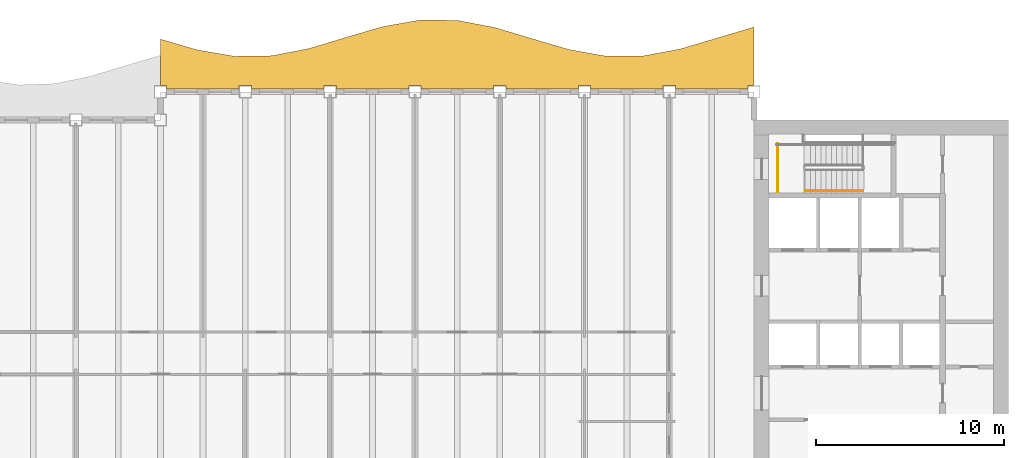
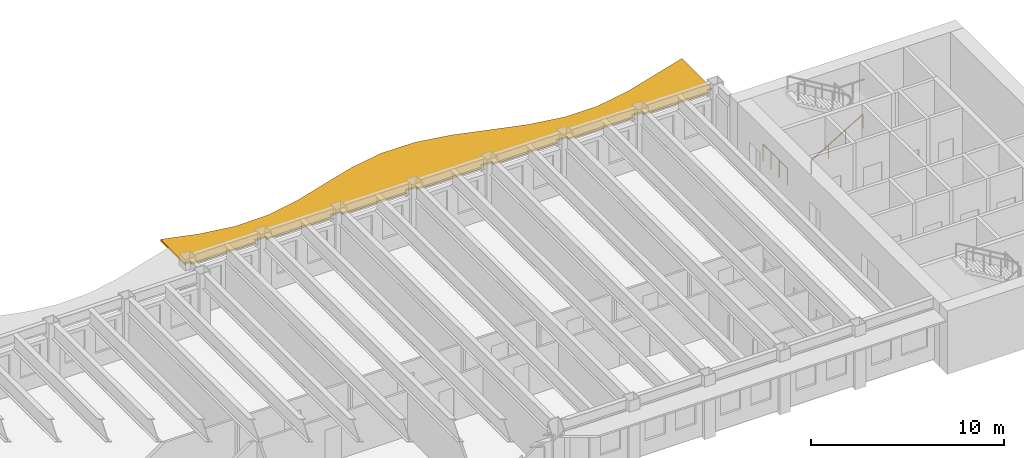
# One storey, part 11 of 12: 2 railings, 1 shading device.
"""IFC4 building model written with IfcOpenShell, lengths in metres."""

from ifc_helpers import new_model, si_unit, direction, frame, origin, origin_2d, place, context, subcontext, project, spatial, polyline, rectangle, outline, extrude, material, layer, layer_set, type_object, element, save


model = new_model("IFC4")

# Units and contexts
model_context = context("Model", 3, precision=1e-05, world=origin(), true_north=direction((0.0, 1.0)))
body_context = subcontext(model_context, "Body", "Model", "MODEL_VIEW")
ifc_project = project(units=[si_unit("LENGTHUNIT", "METRE"), si_unit("AREAUNIT", "SQUARE_METRE"), si_unit("VOLUMEUNIT", "CUBIC_METRE"), si_unit("PLANEANGLEUNIT", "RADIAN"), si_unit("MASSUNIT", "GRAM", prefix="KILO")], contexts=[model_context])

# Site, building, storey
site_placement = place(None, origin())
site = spatial("IfcSite", under=ifc_project, at=site_placement, CompositionType="ELEMENT")
building_placement = place(site_placement, origin())
building = spatial("IfcBuilding", under=site, at=building_placement, Name="Sennacour Bend Tower", CompositionType="ELEMENT")
storey_placement = place(building_placement, frame((0.0, 0.0, 249.0)))
storey = spatial("IfcBuildingStorey", under=building, at=storey_placement, Name="L57", CompositionType="ELEMENT", Elevation=249.0)

# Railings
ifc_material_1 = material(Name="Stainless steel", Category="steel")
railing_type_1 = type_object("IfcRailingType", Name="RL-GUARD-1100", PredefinedType="GUARDRAIL", material=ifc_material_1)
railing_1_placement = place(storey_placement, frame((55.25, 18.699951171875, 0.0)))
element("IfcRailing", 1, at=railing_1_placement, inside=storey, type_object=railing_type_1, Name="L57 SA2 stair guard 7", PredefinedType="GUARDRAIL", context=body_context, shape_type="SweptSolid", body=[
    extrude(rectangle(XDim=0.048095703125, YDim=0.048095703125, at=origin_2d()), frame((0.0, 0.0, 1.076171875), z_axis=(0.0, 1.0, 0.0), x_axis=(-1.0, 0.0, 0.0)), (0.0, 0.0, 1.0), 2.550048828125),
    extrude(rectangle(XDim=0.0419921875, YDim=0.0419921875, at=origin_2d()), origin(), (0.0, 0.0, 1.0), 1.052001953125),
    extrude(rectangle(XDim=0.0419921875, YDim=0.0419921875, at=origin_2d()), frame((0.0, 0.85009765625, 0.0)), (0.0, 0.0, 1.0), 1.052001953125),
    extrude(rectangle(XDim=0.0419921875, YDim=0.0419921875, at=origin_2d()), frame((0.0, 1.699951171875, 0.0)), (0.0, 0.0, 1.0), 1.052001953125),
    extrude(rectangle(XDim=0.0419921875, YDim=0.0419921875, at=origin_2d()), frame((0.0, 2.550048828125, 0.0)), (0.0, 0.0, 1.0), 1.052001953125),
])
railing_type_2 = type_object("IfcRailingType", Name="RL-HANDRAIL-900", PredefinedType="HANDRAIL", material=ifc_material_1)
railing_2_placement = place(storey_placement, frame((56.699951171875, 18.75, 0.166748046875)))
element("IfcRailing", 2, at=railing_2_placement, inside=storey, type_object=railing_type_2, Name="L57 SA2 stair handrail 1", PredefinedType="HANDRAIL", context=body_context, shape_type="SweptSolid", body=[
    extrude(rectangle(XDim=0.048095703125, YDim=0.048095703125, at=origin_2d()), frame((0.0, 0.0, 0.8759765625), z_axis=(0.859308565015, 0.0, 0.511457515432), x_axis=(0.0, 1.0, 0.0)), (0.0, 0.0, 1.0), 3.58447265625),
    extrude(rectangle(XDim=0.0419921875, YDim=0.0419921875, at=origin_2d()), origin(), (0.0, 0.0, 1.0), 0.851806640625),
    extrude(rectangle(XDim=0.0419921875, YDim=0.0419921875, at=origin_2d()), frame((1.026611328125, 0.0, 0.611083984375)), (0.0, 0.0, 1.0), 0.851806640625),
    extrude(rectangle(XDim=0.0419921875, YDim=0.0419921875, at=origin_2d()), frame((2.053466796875, 0.0, 1.22216796875)), (0.0, 0.0, 1.0), 0.851806640625),
    extrude(rectangle(XDim=0.0419921875, YDim=0.0419921875, at=origin_2d()), frame((3.080078125, 0.0, 1.833251953125)), (0.0, 0.0, 1.0), 0.851806640625),
])

# Shading device
ifc_material_2 = material(Name="Bronze anodised aluminium", Category="aluminium")
ifc_layer = layer(ifc_material_2, 0.1201171875, Name="Bronze anodised aluminium", Category="aluminium")
ifc_layer_set = layer_set([ifc_layer], Name="Bronze anodised aluminium")
shading_device_type = type_object("IfcShadingDeviceType", Name="SUNSHADE BAND WAVE", PredefinedType="USERDEFINED", material=ifc_layer_set)
shading_device_placement = place(storey_placement, frame((0.0, 0.0, 3.0419921875)))
element("IfcShadingDevice", 3, at=shading_device_placement, inside=storey, type_object=shading_device_type, Name="Sunshade band L57 concave faces", ObjectType="SUNSHADE", PredefinedType="USERDEFINED", context=body_context, shape_type="SweptSolid", body=[
    extrude(outline(polyline([(53.675048828125, 24.14990234375), (49.824951171875, 24.14990234375), (49.824951171875, 24.324951171875), (49.175048828125, 24.324951171875), (49.175048828125, 24.14990234375), (45.324951171875, 24.14990234375), (45.324951171875, 24.324951171875), (44.675048828125, 24.324951171875), (44.675048828125, 24.14990234375), (40.824951171875, 24.14990234375), (40.824951171875, 24.324951171875), (40.175048828125, 24.324951171875), (40.175048828125, 24.14990234375), (36.324951171875, 24.14990234375), (36.324951171875, 24.324951171875), (35.675048828125, 24.324951171875), (35.675048828125, 24.14990234375), (31.824951171875, 24.14990234375), (31.824951171875, 24.324951171875), (31.175048828125, 24.324951171875), (31.175048828125, 24.14990234375), (27.324951171875, 24.14990234375), (27.324951171875, 24.324951171875), (26.675048828125, 24.324951171875), (26.675048828125, 24.14990234375), (22.824951171875, 24.14990234375), (22.824951171875, 24.324951171875), (22.5, 24.324951171875), (22.5, 26.79296875), (24.46875, 26.2197265625), (26.4375, 25.884765625), (28.40625, 25.914306640625), (30.375, 26.29736328125), (32.34375, 26.889404296875), (34.3125, 27.46630859375), (36.28125, 27.810546875), (38.25, 27.791748046875), (40.21875, 27.41748046875), (42.1875, 26.82861328125), (44.15625, 26.247802734375), (46.125, 25.89453125), (48.09375, 25.90234375), (50.0625, 26.26806640625), (52.03125, 26.853515625), (54.0, 27.437744140625), (54.0, 24.324951171875), (53.675048828125, 24.324951171875), (53.675048828125, 24.14990234375)])), origin(), (0.0, 0.0, 1.0), 0.1201171875),
])

save(model, "model.ifc")
